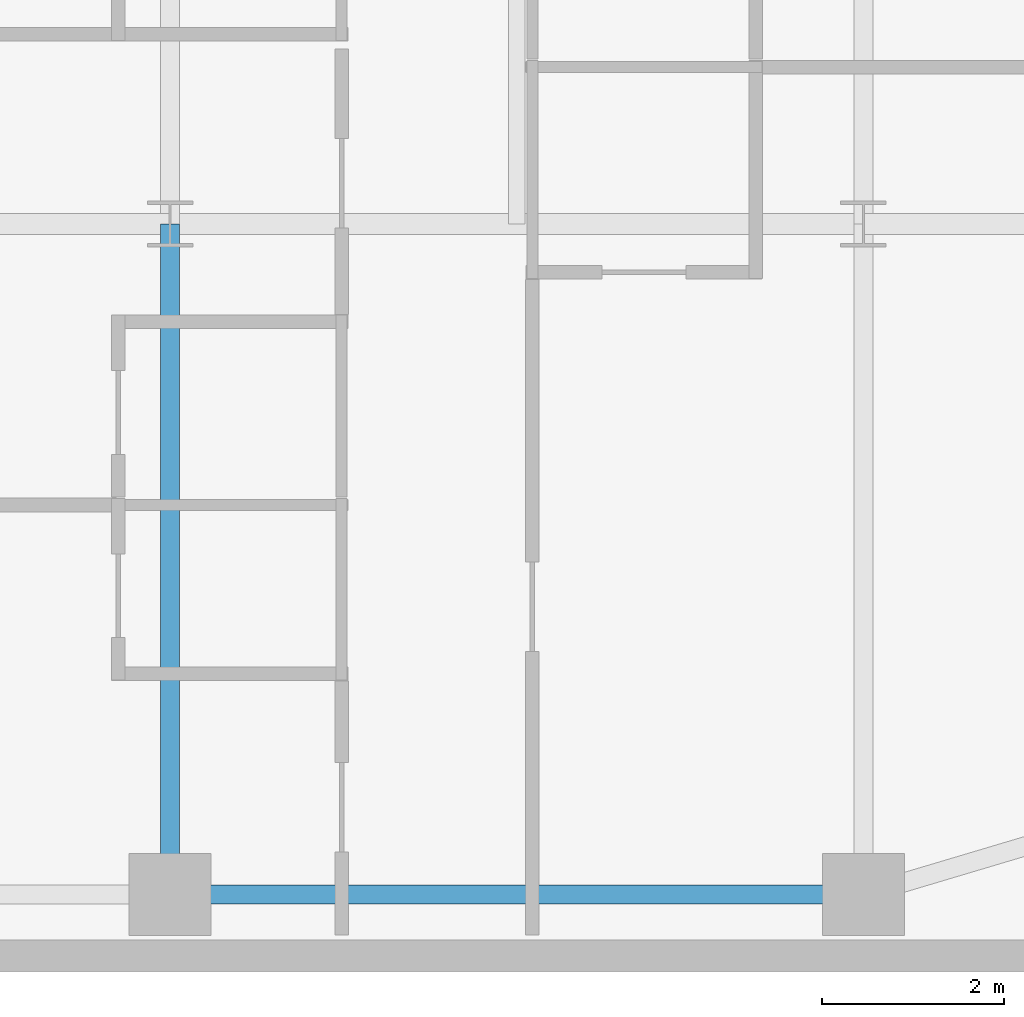
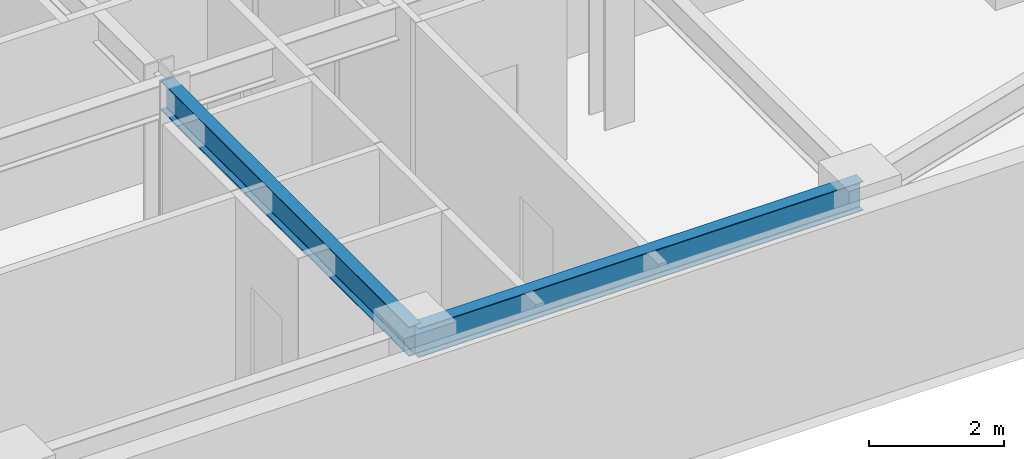
# One storey, part 6 of 16: 2 beams.
"""IFC4 building model written with IfcOpenShell, lengths in metres."""

from ifc_helpers import new_model, si_unit, direction, frame, origin, origin_2d, place, context, subcontext, project, spatial, i_section, extrude, source, transform, mapped, material, material_profile, profile_set, type_object, type_shapes, element, save


model = new_model("IFC4")

# Units and contexts
model_context = context("Model", 3, precision=1e-05, world=origin(), true_north=direction((0.0, 1.0)))
body_context = subcontext(model_context, "Body", "Model", "MODEL_VIEW")
ifc_project = project(units=[si_unit("LENGTHUNIT", "METRE"), si_unit("AREAUNIT", "SQUARE_METRE"), si_unit("VOLUMEUNIT", "CUBIC_METRE"), si_unit("PLANEANGLEUNIT", "RADIAN"), si_unit("MASSUNIT", "GRAM", prefix="KILO")], contexts=[model_context])

# Site, building, storey
site_placement = place(None, origin())
site = spatial("IfcSite", under=ifc_project, at=site_placement, CompositionType="ELEMENT")
building_placement = place(site_placement, origin())
building = spatial("IfcBuilding", under=site, at=building_placement, Name="Tolvann Quenvar Hotel", CompositionType="ELEMENT")
storey_placement = place(building_placement, frame((0.0, 0.0, 85.25)))
storey = spatial("IfcBuildingStorey", under=building, at=storey_placement, Name="L21", CompositionType="ELEMENT", Elevation=85.25)

# Beams
ifc_material = material(Name="Steel Grade 350", Category="steel")
ifc_material_profile_1 = material_profile(ifc_material, i_section(OverallWidth=0.208984375, OverallDepth=0.528076171875, WebThickness=0.009521484375, FlangeThickness=0.01318359375, FilletRadius=0.013916015625, at=origin_2d()), Name="530UB82")
ifc_profile_set_1 = profile_set([ifc_material_profile_1], Name="Steel Grade 350")
beam_type_1 = type_object("IfcBeamType", Name="BM_SPAND_530UB82", PredefinedType="SPANDREL", material=ifc_profile_set_1)
shared_shape_1 = source(origin(), body_context, "Body", "SweptSolid", [
    extrude(i_section(OverallWidth=0.208984375, OverallDepth=0.528076171875, WebThickness=0.009521484375, FlangeThickness=0.01318359375, FilletRadius=0.013916015625, at=origin_2d()), origin(), (0.0, 0.0, 1.0), 7.599853515625),
])
type_shapes(beam_type_1, [shared_shape_1])
beam_1_placement = place(storey_placement, frame((41.800048828125, 0.85009765625, 3.10595703125), z_axis=(1.0, 0.0, 0.0), x_axis=(0.0, 1.0, 0.0)))
element("IfcBeam", 1, at=beam_1_placement, inside=storey, type_object=beam_type_1, Name="BM-L21-EW-2-H2-I2", PredefinedType="SPANDREL", context=body_context, shape_type="MappedRepresentation", body=[
    mapped(shared_shape_1, transform((0.0, 0.0, 0.0), x_axis=(1.0, 0.0, 0.0), y_axis=(0.0, 1.0, 0.0), z_axis=(0.0, 0.0, 1.0), scale=1.0)),
])
ifc_material_profile_2 = material_profile(ifc_material, i_section(OverallWidth=0.208984375, OverallDepth=0.532958984375, WebThickness=0.01025390625, FlangeThickness=0.015625, FilletRadius=0.013916015625, at=origin_2d()), Name="530UB92")
ifc_profile_set_2 = profile_set([ifc_material_profile_2], Name="Steel Grade 350")
beam_type_2 = type_object("IfcBeamType", Name="BM_GIRD_530UB92", PredefinedType="BEAM", material=ifc_profile_set_2)
shared_shape_2 = source(origin(), body_context, "Body", "SweptSolid", [
    extrude(i_section(OverallWidth=0.208984375, OverallDepth=0.532958984375, WebThickness=0.01025390625, FlangeThickness=0.015625, FilletRadius=0.013916015625, at=origin_2d()), origin(), (0.0, 0.0, 1.0), 7.349853515625),
])
type_shapes(beam_type_2, [shared_shape_2])
beam_2_placement = place(storey_placement, frame((41.800048828125, 0.85009765625, 3.103515625), z_axis=(0.0, 1.0, 0.0), x_axis=(-1.0, 0.0, 0.0)))
element("IfcBeam", 2, at=beam_2_placement, inside=storey, type_object=beam_type_2, Name="BM-L21-NS-H2-H3", PredefinedType="BEAM", context=body_context, shape_type="MappedRepresentation", body=[
    mapped(shared_shape_2, transform((0.0, 0.0, 0.0), x_axis=(1.0, 0.0, 0.0), y_axis=(0.0, 1.0, 0.0), z_axis=(0.0, 0.0, 1.0), scale=1.0)),
])

save(model, "model.ifc")
